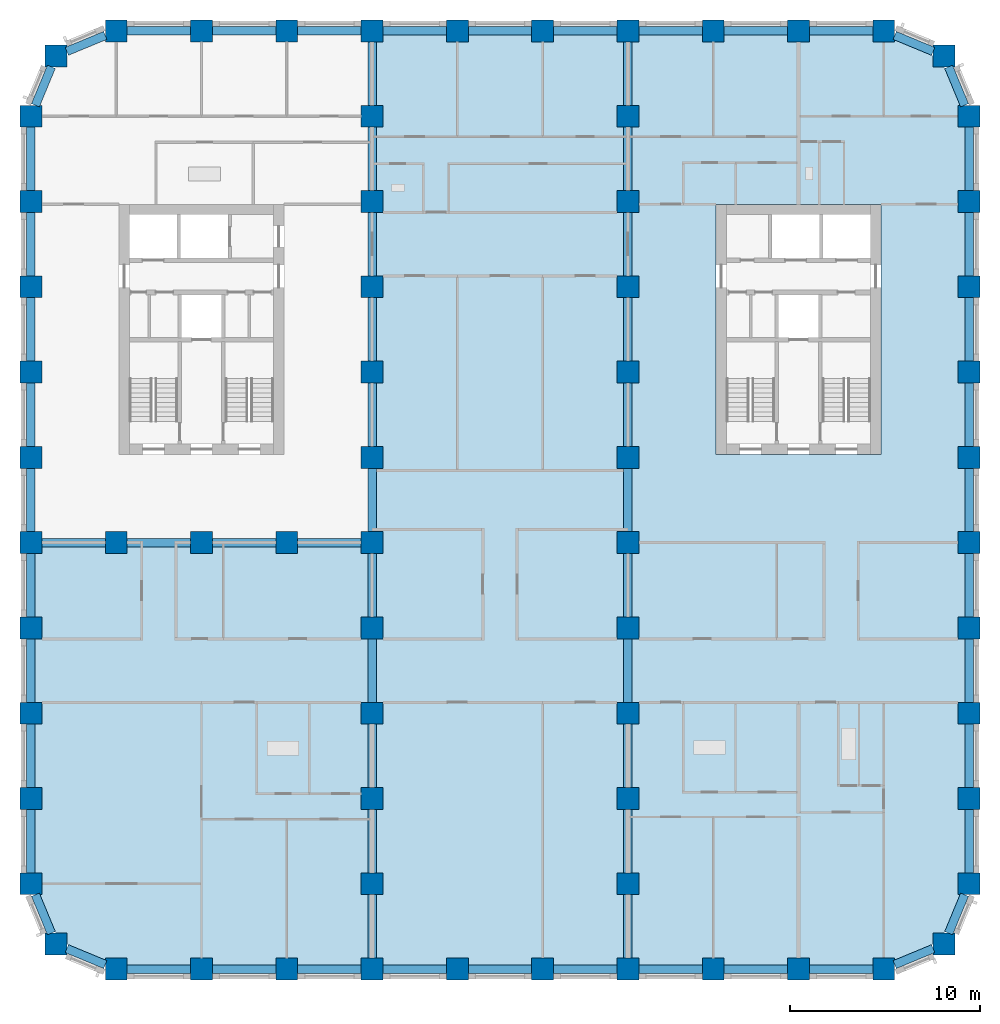
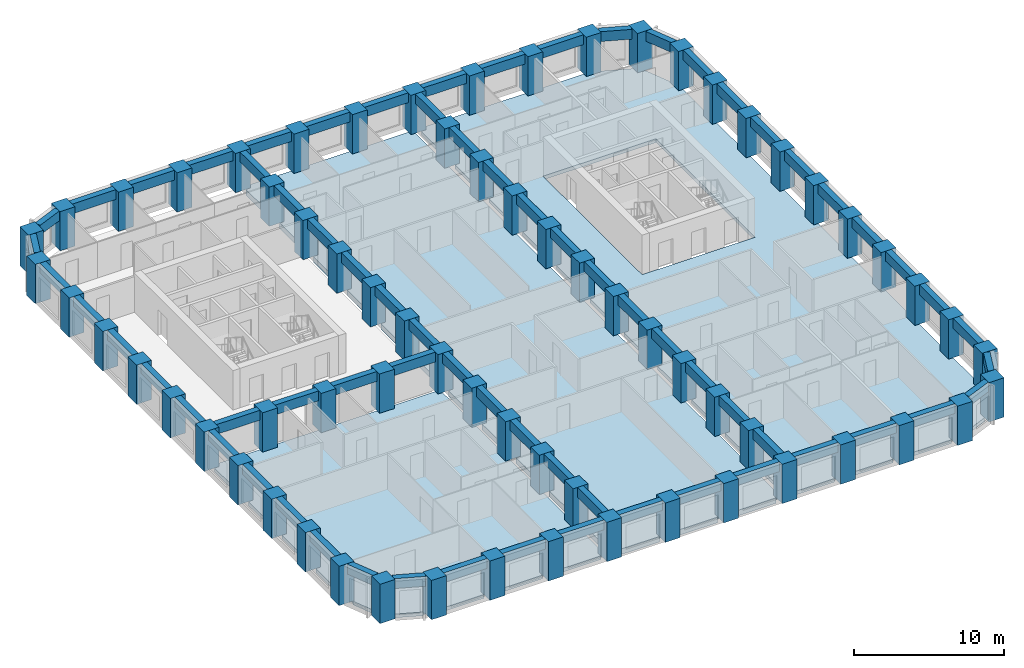
# One storey, part 1 of 13: 70 beams, 67 columns, 3 slabs.
"""IFC4 building model written with IfcOpenShell, lengths in metres."""

from ifc_helpers import new_model, si_unit, direction, frame, origin, origin_2d, place, context, subcontext, project, spatial, polyline, rectangle, outline, extrude, material, layer, layer_set, material_profile, profile_set, type_object, element, save


model = new_model("IFC4")

# Units and contexts
model_context = context("Model", 3, precision=1e-05, world=origin(), true_north=direction((0.0, 1.0)))
body_context = subcontext(model_context, "Body", "Model", "MODEL_VIEW")
ifc_project = project(units=[si_unit("LENGTHUNIT", "METRE"), si_unit("AREAUNIT", "SQUARE_METRE"), si_unit("VOLUMEUNIT", "CUBIC_METRE"), si_unit("PLANEANGLEUNIT", "RADIAN"), si_unit("MASSUNIT", "GRAM", prefix="KILO")], contexts=[model_context])

# Site, building, storey
site_placement = place(None, origin())
site = spatial("IfcSite", under=ifc_project, at=site_placement, CompositionType="ELEMENT")
building_placement = place(site_placement, origin())
building = spatial("IfcBuilding", under=site, at=building_placement, Name="Girih Gate Residences", CompositionType="ELEMENT")
storey_placement = place(building_placement, frame((0.0, 0.0, 89.60009765625)))
storey = spatial("IfcBuildingStorey", under=building, at=storey_placement, Name="L24", CompositionType="ELEMENT", Elevation=89.60009765625)

# Columns
ifc_material_1 = material(Name="Concrete C80/95", Category="concrete")
ifc_material_profile_1 = material_profile(ifc_material_1, rectangle(XDim=1.14990234375, YDim=1.14990234375, at=origin_2d()))
ifc_profile_set_1 = profile_set([ifc_material_profile_1], Name="Concrete C80/95")
column_type = type_object("IfcColumnType", Name="Pier RC 1150x1150 Concrete C80/95", PredefinedType="COLUMN", material=ifc_profile_set_1)
for number, where, z_axis, x_axis, name in (
    (1, (4.5, 0.0, 0.0), (0.0, 0.0, 1.0), (1.0, 0.0, 0.0), "Pier P2A L24"),
    (2, (9.0, 0.0, 0.0), (0.0, 0.0, 1.0), (1.0, 0.0, 0.0), "Pier P3A L24"),
    (3, (13.5, 0.0, 0.0), (0.0, 0.0, 1.0), (1.0, 0.0, 0.0), "Pier P4A L24"),
    (4, (18.0, 0.0, 0.0), (0.0, 0.0, 1.0), (1.0, 0.0, 0.0), "Pier P5A L24"),
    (5, (22.5, 0.0, 0.0), (0.0, 0.0, 1.0), (1.0, 0.0, 0.0), "Pier P6A L24"),
    (6, (27.0, 0.0, 0.0), (0.0, 0.0, 1.0), (1.0, 0.0, 0.0), "Pier P7A L24"),
    (7, (31.5, 0.0, 0.0), (0.0, 0.0, 1.0), (1.0, 0.0, 0.0), "Pier P8A L24"),
    (8, (36.0, 0.0, 0.0), (0.0, 0.0, 1.0), (1.0, 0.0, 0.0), "Pier P9A L24"),
    (9, (40.5, 0.0, 0.0), (0.0, 0.0, 1.0), (1.0, 0.0, 0.0), "Pier P10A L24"),
    (10, (45.0, 0.0, 0.0), (0.0, 0.0, 1.0), (1.0, 0.0, 0.0), "Pier P11A L24"),
    (11, (1.318115234375, 1.318115234375, 0.0), (0.0, 0.0, 1.0), (1.0, 0.0, 0.0), "Pier P1ANE L24"),
    (12, (48.181884765625, 1.318115234375, 0.0), (0.0, 0.0, 1.0), (1.0, 0.0, 0.0), "Pier P12ANW L24"),
    (13, (0.0, 4.5, 0.0), (0.0, 0.0, 1.0), (1.0, 0.0, 0.0), "Pier P1B L24"),
    (14, (18.0, 4.5, 0.0), (0.0, 0.0, 1.0), (1.0, 0.0, 0.0), "Pier P5B L24"),
    (15, (31.5, 4.5, 0.0), (0.0, 0.0, 1.0), (1.0, 0.0, 0.0), "Pier P8B L24"),
    (16, (49.5, 4.5, 0.0), (0.0, 0.0, 1.0), (1.0, 0.0, 0.0), "Pier P12B L24"),
    (17, (0.0, 9.0, 0.0), (0.0, 0.0, 1.0), (1.0, 0.0, 0.0), "Pier P1C L24"),
    (18, (18.0, 9.0, 0.0), (0.0, 0.0, 1.0), (1.0, 0.0, 0.0), "Pier P5C L24"),
    (19, (31.5, 9.0, 0.0), (0.0, 0.0, 1.0), (1.0, 0.0, 0.0), "Pier P8C L24"),
    (20, (49.5, 9.0, 0.0), (0.0, 0.0, 1.0), (1.0, 0.0, 0.0), "Pier P12C L24"),
    (21, (0.0, 13.5, 0.0), (0.0, 0.0, 1.0), (1.0, 0.0, 0.0), "Pier P1D L24"),
    (22, (18.0, 13.5, 0.0), (0.0, 0.0, 1.0), (1.0, 0.0, 0.0), "Pier P5D L24"),
    (23, (31.5, 13.5, 0.0), (0.0, 0.0, 1.0), (1.0, 0.0, 0.0), "Pier P8D L24"),
    (24, (49.5, 13.5, 0.0), (0.0, 0.0, 1.0), (1.0, 0.0, 0.0), "Pier P12D L24"),
    (25, (0.0, 18.0, 0.0), (0.0, 0.0, 1.0), (1.0, 0.0, 0.0), "Pier P1E L24"),
    (26, (18.0, 18.0, 0.0), (0.0, 0.0, 1.0), (1.0, 0.0, 0.0), "Pier P5E L24"),
    (27, (31.5, 18.0, 0.0), (0.0, 0.0, 1.0), (1.0, 0.0, 0.0), "Pier P8E L24"),
    (28, (49.5, 18.0, 0.0), (0.0, 0.0, 1.0), (1.0, 0.0, 0.0), "Pier P12E L24"),
    (29, (0.0, 22.5, 0.0), (0.0, 0.0, 1.0), (1.0, 0.0, 0.0), "Pier P1F L24"),
    (30, (4.5, 22.5, 0.0), (0.0, 0.0, 1.0), (1.0, 0.0, 0.0), "Pier P2F L24"),
    (31, (9.0, 22.5, 0.0), (0.0, 0.0, 1.0), (1.0, 0.0, 0.0), "Pier P3F L24"),
    (32, (13.5, 22.5, 0.0), (0.0, 0.0, 1.0), (1.0, 0.0, 0.0), "Pier P4F L24"),
    (33, (18.0, 22.5, 0.0), (0.0, 0.0, 1.0), (1.0, 0.0, 0.0), "Pier P5F L24"),
    (34, (31.5, 22.5, 0.0), (0.0, 0.0, 1.0), (1.0, 0.0, 0.0), "Pier P8F L24"),
    (35, (49.5, 22.5, 0.0), (0.0, 0.0, 1.0), (1.0, 0.0, 0.0), "Pier P12F L24"),
    (36, (0.0, 27.0, 0.0), (0.0, 0.0, 1.0), (1.0, 0.0, 0.0), "Pier P1G L24"),
    (37, (18.0, 27.0, 0.0), (0.0, 0.0, 1.0), (1.0, 0.0, 0.0), "Pier P5G L24"),
    (38, (31.5, 27.0, 0.0), (0.0, 0.0, 1.0), (1.0, 0.0, 0.0), "Pier P8G L24"),
    (39, (49.5, 27.0, 0.0), (0.0, 0.0, 1.0), (1.0, 0.0, 0.0), "Pier P12G L24"),
    (40, (0.0, 31.5, 0.0), (0.0, 0.0, 1.0), (1.0, 0.0, 0.0), "Pier P1H L24"),
    (41, (18.0, 31.5, 0.0), (0.0, 0.0, 1.0), (1.0, 0.0, 0.0), "Pier P5H L24"),
    (42, (31.5, 31.5, 0.0), (0.0, 0.0, 1.0), (1.0, 0.0, 0.0), "Pier P8H L24"),
    (43, (49.5, 31.5, 0.0), (0.0, 0.0, 1.0), (1.0, 0.0, 0.0), "Pier P12H L24"),
    (44, (0.0, 36.0, 0.0), (0.0, 0.0, 1.0), (1.0, 0.0, 0.0), "Pier P1I L24"),
    (45, (18.0, 36.0, 0.0), (0.0, 0.0, 1.0), (1.0, 0.0, 0.0), "Pier P5I L24"),
    (46, (31.5, 36.0, 0.0), (0.0, 0.0, 1.0), (1.0, 0.0, 0.0), "Pier P8I L24"),
    (47, (49.5, 36.0, 0.0), (0.0, 0.0, 1.0), (1.0, 0.0, 0.0), "Pier P12I L24"),
    (48, (0.0, 40.5, 0.0), (0.0, 0.0, 1.0), (1.0, 0.0, 0.0), "Pier P1J L24"),
    (49, (18.0, 40.5, 0.0), (0.0, 0.0, 1.0), (1.0, 0.0, 0.0), "Pier P5J L24"),
    (50, (31.5, 40.5, 0.0), (0.0, 0.0, 1.0), (1.0, 0.0, 0.0), "Pier P8J L24"),
    (51, (49.5, 40.5, 0.0), (0.0, 0.0, 1.0), (1.0, 0.0, 0.0), "Pier P12J L24"),
    (52, (0.0, 45.0, 0.0), (0.0, 0.0, 1.0), (1.0, 0.0, 0.0), "Pier P1K L24"),
    (53, (18.0, 45.0, 0.0), (0.0, 0.0, 1.0), (1.0, 0.0, 0.0), "Pier P5K L24"),
    (54, (31.5, 45.0, 0.0), (0.0, 0.0, 1.0), (1.0, 0.0, 0.0), "Pier P8K L24"),
    (55, (49.5, 45.0, 0.0), (0.0, 0.0, 1.0), (1.0, 0.0, 0.0), "Pier P12K L24"),
    (56, (1.318115234375, 48.181884765625, 0.0), (0.0, 0.0, 1.0), (1.0, 0.0, 0.0), "Pier P1LSE L24"),
    (57, (48.181884765625, 48.181884765625, 0.0), (0.0, 0.0, 1.0), (1.0, 0.0, 0.0), "Pier P12LSW L24"),
    (58, (4.5, 49.5, 0.0), (0.0, 0.0, 1.0), (1.0, 0.0, 0.0), "Pier P2L L24"),
    (59, (9.0, 49.5, 0.0), (0.0, 0.0, 1.0), (1.0, 0.0, 0.0), "Pier P3L L24"),
    (60, (13.5, 49.5, 0.0), (0.0, 0.0, 1.0), (1.0, 0.0, 0.0), "Pier P4L L24"),
    (61, (18.0, 49.5, 0.0), (0.0, 0.0, 1.0), (1.0, 0.0, 0.0), "Pier P5L L24"),
    (62, (22.5, 49.5, 0.0), (0.0, 0.0, 1.0), (1.0, 0.0, 0.0), "Pier P6L L24"),
    (63, (27.0, 49.5, 0.0), (0.0, 0.0, 1.0), (1.0, 0.0, 0.0), "Pier P7L L24"),
    (64, (31.5, 49.5, 0.0), (0.0, 0.0, 1.0), (1.0, 0.0, 0.0), "Pier P8L L24"),
    (65, (36.0, 49.5, 0.0), (0.0, 0.0, 1.0), (1.0, 0.0, 0.0), "Pier P9L L24"),
    (66, (40.5, 49.5, 0.0), (0.0, 0.0, 1.0), (1.0, 0.0, 0.0), "Pier P10L L24"),
    (67, (45.0, 49.5, 0.0), (0.0, 0.0, 1.0), (1.0, 0.0, 0.0), "Pier P11L L24"),
):
    element("IfcColumn", number, at=place(storey_placement, frame(where, z_axis=z_axis, x_axis=x_axis)), inside=storey, type_object=column_type, Name=name, PredefinedType="COLUMN", context=body_context, shape_type="SweptSolid", body=[
        extrude(rectangle(XDim=1.14990234375, YDim=1.14990234375, at=origin_2d()), origin(), (0.0, 0.0, 1.0), 3.199951171875),
    ])

# Beams
ifc_material_2 = material(Name="Concrete C60/75", Category="concrete")
ifc_material_profile_2 = material_profile(ifc_material_2, rectangle(XDim=0.449951171875, YDim=0.800048828125, at=origin_2d()))
ifc_profile_set_2 = profile_set([ifc_material_profile_2], Name="Concrete C60/75")
beam_type = type_object("IfcBeamType", Name="Spandrel girder RC 450x800 Concrete C60/75", PredefinedType="BEAM", material=ifc_profile_set_2)
for number, where, z_axis, x_axis, name in (
    (68, (0.23828125, 3.925048828125, 2.7998046875), (0.382636106589, -0.92389913407, 0.0), (0.92389913407, 0.382636106589, 0.0), "Spandrel girder SP-P1B-P1ANE L24"),
    (69, (1.89306640625, 1.079833984375, 2.7998046875), (0.92389913407, -0.382636106589, 0.0), (0.382636106589, 0.92389913407, 0.0), "Spandrel girder SP-P1ANE-P2A L24"),
):
    element("IfcBeam", number, at=place(storey_placement, frame(where, z_axis=z_axis, x_axis=x_axis)), inside=storey, type_object=beam_type, Name=name, PredefinedType="BEAM", context=body_context, shape_type="SweptSolid", body=[
        extrude(rectangle(XDim=0.449951171875, YDim=0.800048828125, at=origin_2d()), origin(), (0.0, 0.0, 1.0), 2.199462890625),
    ])
for number, where, z_axis, x_axis, name in (
    (70, (5.074951171875, 0.0, 2.7998046875), (1.0, 0.0, 0.0), (0.0, 1.0, 0.0), "Spandrel girder SP-P2A-P3A L24"),
    (71, (9.574951171875, 0.0, 2.7998046875), (1.0, 0.0, 0.0), (0.0, 1.0, 0.0), "Spandrel girder SP-P3A-P4A L24"),
    (72, (14.074951171875, 0.0, 2.7998046875), (1.0, 0.0, 0.0), (0.0, 1.0, 0.0), "Spandrel girder SP-P4A-P5A L24"),
    (73, (18.574951171875, 0.0, 2.7998046875), (1.0, 0.0, 0.0), (0.0, 1.0, 0.0), "Spandrel girder SP-P5A-P6A L24"),
    (74, (23.074951171875, 0.0, 2.7998046875), (1.0, 0.0, 0.0), (0.0, 1.0, 0.0), "Spandrel girder SP-P6A-P7A L24"),
    (75, (27.574951171875, 0.0, 2.7998046875), (1.0, 0.0, 0.0), (0.0, 1.0, 0.0), "Spandrel girder SP-P7A-P8A L24"),
    (76, (32.074951171875, 0.0, 2.7998046875), (1.0, 0.0, 0.0), (0.0, 1.0, 0.0), "Spandrel girder SP-P8A-P9A L24"),
    (77, (36.574951171875, 0.0, 2.7998046875), (1.0, 0.0, 0.0), (0.0, 1.0, 0.0), "Spandrel girder SP-P9A-P10A L24"),
    (78, (41.074951171875, 0.0, 2.7998046875), (1.0, 0.0, 0.0), (0.0, 1.0, 0.0), "Spandrel girder SP-P10A-P11A L24"),
):
    element("IfcBeam", number, at=place(storey_placement, frame(where, z_axis=z_axis, x_axis=x_axis)), inside=storey, type_object=beam_type, Name=name, PredefinedType="BEAM", context=body_context, shape_type="SweptSolid", body=[
        extrude(rectangle(XDim=0.449951171875, YDim=0.800048828125, at=origin_2d()), origin(), (0.0, 0.0, 1.0), 3.35009765625),
    ])
for number, where, z_axis, x_axis, name in (
    (79, (45.574951171875, 0.23828125, 2.7998046875), (0.92389913407, 0.382636106589, 0.0), (-0.382636106589, 0.92389913407, 0.0), "Spandrel girder SP-P11A-P12ANW L24"),
    (80, (48.420166015625, 1.89306640625, 2.7998046875), (0.382636106589, 0.92389913407, 0.0), (-0.92389913407, 0.382636106589, 0.0), "Spandrel girder SP-P12ANW-P12B L24"),
):
    element("IfcBeam", number, at=place(storey_placement, frame(where, z_axis=z_axis, x_axis=x_axis)), inside=storey, type_object=beam_type, Name=name, PredefinedType="BEAM", context=body_context, shape_type="SweptSolid", body=[
        extrude(rectangle(XDim=0.449951171875, YDim=0.800048828125, at=origin_2d()), origin(), (0.0, 0.0, 1.0), 2.199462890625),
    ])
for number, where, z_axis, x_axis, name in (
    (81, (49.5, 5.074951171875, 2.7998046875), (0.0, 1.0, 0.0), (-1.0, 0.0, 0.0), "Spandrel girder SP-P12B-P12C L24"),
    (82, (49.5, 9.574951171875, 2.7998046875), (0.0, 1.0, 0.0), (-1.0, 0.0, 0.0), "Spandrel girder SP-P12C-P12D L24"),
    (83, (49.5, 14.074951171875, 2.7998046875), (0.0, 1.0, 0.0), (-1.0, 0.0, 0.0), "Spandrel girder SP-P12D-P12E L24"),
    (84, (49.5, 18.574951171875, 2.7998046875), (0.0, 1.0, 0.0), (-1.0, 0.0, 0.0), "Spandrel girder SP-P12E-P12F L24"),
    (85, (49.5, 23.074951171875, 2.7998046875), (0.0, 1.0, 0.0), (-1.0, 0.0, 0.0), "Spandrel girder SP-P12F-P12G L24"),
    (86, (49.5, 27.574951171875, 2.7998046875), (0.0, 1.0, 0.0), (-1.0, 0.0, 0.0), "Spandrel girder SP-P12G-P12H L24"),
    (87, (49.5, 32.074951171875, 2.7998046875), (0.0, 1.0, 0.0), (-1.0, 0.0, 0.0), "Spandrel girder SP-P12H-P12I L24"),
    (88, (49.5, 36.574951171875, 2.7998046875), (0.0, 1.0, 0.0), (-1.0, 0.0, 0.0), "Spandrel girder SP-P12I-P12J L24"),
    (89, (49.5, 41.074951171875, 2.7998046875), (0.0, 1.0, 0.0), (-1.0, 0.0, 0.0), "Spandrel girder SP-P12J-P12K L24"),
):
    element("IfcBeam", number, at=place(storey_placement, frame(where, z_axis=z_axis, x_axis=x_axis)), inside=storey, type_object=beam_type, Name=name, PredefinedType="BEAM", context=body_context, shape_type="SweptSolid", body=[
        extrude(rectangle(XDim=0.449951171875, YDim=0.800048828125, at=origin_2d()), origin(), (0.0, 0.0, 1.0), 3.35009765625),
    ])
for number, where, z_axis, x_axis, name in (
    (90, (49.26171875, 45.574951171875, 2.7998046875), (-0.382636106589, 0.92389913407, 0.0), (-0.92389913407, -0.382636106589, 0.0), "Spandrel girder SP-P12K-P12LSW L24"),
    (91, (47.60693359375, 48.420166015625, 2.7998046875), (-0.92389913407, 0.382636106589, 0.0), (-0.382636106589, -0.92389913407, 0.0), "Spandrel girder SP-P12LSW-P11L L24"),
):
    element("IfcBeam", number, at=place(storey_placement, frame(where, z_axis=z_axis, x_axis=x_axis)), inside=storey, type_object=beam_type, Name=name, PredefinedType="BEAM", context=body_context, shape_type="SweptSolid", body=[
        extrude(rectangle(XDim=0.449951171875, YDim=0.800048828125, at=origin_2d()), origin(), (0.0, 0.0, 1.0), 2.199462890625),
    ])
for number, where, z_axis, x_axis, name in (
    (92, (44.425048828125, 49.5, 2.7998046875), (-1.0, 0.0, 0.0), (0.0, -1.0, 0.0), "Spandrel girder SP-P11L-P10L L24"),
    (93, (39.925048828125, 49.5, 2.7998046875), (-1.0, 0.0, 0.0), (0.0, -1.0, 0.0), "Spandrel girder SP-P10L-P9L L24"),
    (94, (35.425048828125, 49.5, 2.7998046875), (-1.0, 0.0, 0.0), (0.0, -1.0, 0.0), "Spandrel girder SP-P9L-P8L L24"),
    (95, (30.925048828125, 49.5, 2.7998046875), (-1.0, 0.0, 0.0), (0.0, -1.0, 0.0), "Spandrel girder SP-P8L-P7L L24"),
    (96, (26.425048828125, 49.5, 2.7998046875), (-1.0, 0.0, 0.0), (0.0, -1.0, 0.0), "Spandrel girder SP-P7L-P6L L24"),
    (97, (21.925048828125, 49.5, 2.7998046875), (-1.0, 0.0, 0.0), (0.0, -1.0, 0.0), "Spandrel girder SP-P6L-P5L L24"),
    (98, (17.425048828125, 49.5, 2.7998046875), (-1.0, 0.0, 0.0), (0.0, -1.0, 0.0), "Spandrel girder SP-P5L-P4L L24"),
    (99, (12.925048828125, 49.5, 2.7998046875), (-1.0, 0.0, 0.0), (0.0, -1.0, 0.0), "Spandrel girder SP-P4L-P3L L24"),
    (100, (8.425048828125, 49.5, 2.7998046875), (-1.0, 0.0, 0.0), (0.0, -1.0, 0.0), "Spandrel girder SP-P3L-P2L L24"),
):
    element("IfcBeam", number, at=place(storey_placement, frame(where, z_axis=z_axis, x_axis=x_axis)), inside=storey, type_object=beam_type, Name=name, PredefinedType="BEAM", context=body_context, shape_type="SweptSolid", body=[
        extrude(rectangle(XDim=0.449951171875, YDim=0.800048828125, at=origin_2d()), origin(), (0.0, 0.0, 1.0), 3.35009765625),
    ])
for number, where, z_axis, x_axis, name in (
    (101, (3.925048828125, 49.26171875, 2.7998046875), (-0.92389913407, -0.382636106589, 0.0), (0.382636106589, -0.92389913407, 0.0), "Spandrel girder SP-P2L-P1LSE L24"),
    (102, (1.079833984375, 47.60693359375, 2.7998046875), (-0.382636106589, -0.92389913407, 0.0), (0.92389913407, -0.382636106589, 0.0), "Spandrel girder SP-P1LSE-P1K L24"),
):
    element("IfcBeam", number, at=place(storey_placement, frame(where, z_axis=z_axis, x_axis=x_axis)), inside=storey, type_object=beam_type, Name=name, PredefinedType="BEAM", context=body_context, shape_type="SweptSolid", body=[
        extrude(rectangle(XDim=0.449951171875, YDim=0.800048828125, at=origin_2d()), origin(), (0.0, 0.0, 1.0), 2.199462890625),
    ])
for number, where, z_axis, x_axis, name in (
    (103, (0.0, 44.425048828125, 2.7998046875), (0.0, -1.0, 0.0), (1.0, 0.0, 0.0), "Spandrel girder SP-P1K-P1J L24"),
    (104, (0.0, 39.925048828125, 2.7998046875), (0.0, -1.0, 0.0), (1.0, 0.0, 0.0), "Spandrel girder SP-P1J-P1I L24"),
    (105, (0.0, 35.425048828125, 2.7998046875), (0.0, -1.0, 0.0), (1.0, 0.0, 0.0), "Spandrel girder SP-P1I-P1H L24"),
    (106, (0.0, 30.925048828125, 2.7998046875), (0.0, -1.0, 0.0), (1.0, 0.0, 0.0), "Spandrel girder SP-P1H-P1G L24"),
    (107, (0.0, 26.425048828125, 2.7998046875), (0.0, -1.0, 0.0), (1.0, 0.0, 0.0), "Spandrel girder SP-P1G-P1F L24"),
    (108, (0.0, 21.925048828125, 2.7998046875), (0.0, -1.0, 0.0), (1.0, 0.0, 0.0), "Spandrel girder SP-P1F-P1E L24"),
    (109, (0.0, 17.425048828125, 2.7998046875), (0.0, -1.0, 0.0), (1.0, 0.0, 0.0), "Spandrel girder SP-P1E-P1D L24"),
    (110, (0.0, 12.925048828125, 2.7998046875), (0.0, -1.0, 0.0), (1.0, 0.0, 0.0), "Spandrel girder SP-P1D-P1C L24"),
    (111, (0.0, 8.425048828125, 2.7998046875), (0.0, -1.0, 0.0), (1.0, 0.0, 0.0), "Spandrel girder SP-P1C-P1B L24"),
    (112, (18.0, 0.574951171875, 2.7998046875), (0.0, 1.0, 0.0), (-1.0, 0.0, 0.0), "Spandrel girder SP-P5A-P5B L24"),
    (113, (18.0, 5.074951171875, 2.7998046875), (0.0, 1.0, 0.0), (-1.0, 0.0, 0.0), "Spandrel girder SP-P5B-P5C L24"),
    (114, (18.0, 9.574951171875, 2.7998046875), (0.0, 1.0, 0.0), (-1.0, 0.0, 0.0), "Spandrel girder SP-P5C-P5D L24"),
    (115, (18.0, 14.074951171875, 2.7998046875), (0.0, 1.0, 0.0), (-1.0, 0.0, 0.0), "Spandrel girder SP-P5D-P5E L24"),
    (116, (18.0, 18.574951171875, 2.7998046875), (0.0, 1.0, 0.0), (-1.0, 0.0, 0.0), "Spandrel girder SP-P5E-P5F L24"),
    (117, (18.0, 23.074951171875, 2.7998046875), (0.0, 1.0, 0.0), (-1.0, 0.0, 0.0), "Spandrel girder SP-P5F-P5G L24"),
    (118, (18.0, 27.574951171875, 2.7998046875), (0.0, 1.0, 0.0), (-1.0, 0.0, 0.0), "Spandrel girder SP-P5G-P5H L24"),
    (119, (18.0, 32.074951171875, 2.7998046875), (0.0, 1.0, 0.0), (-1.0, 0.0, 0.0), "Spandrel girder SP-P5H-P5I L24"),
    (120, (18.0, 36.574951171875, 2.7998046875), (0.0, 1.0, 0.0), (-1.0, 0.0, 0.0), "Spandrel girder SP-P5I-P5J L24"),
    (121, (18.0, 41.074951171875, 2.7998046875), (0.0, 1.0, 0.0), (-1.0, 0.0, 0.0), "Spandrel girder SP-P5J-P5K L24"),
    (122, (18.0, 45.574951171875, 2.7998046875), (0.0, 1.0, 0.0), (-1.0, 0.0, 0.0), "Spandrel girder SP-P5K-P5L L24"),
    (123, (31.5, 0.574951171875, 2.7998046875), (0.0, 1.0, 0.0), (-1.0, 0.0, 0.0), "Spandrel girder SP-P8A-P8B L24"),
    (124, (31.5, 5.074951171875, 2.7998046875), (0.0, 1.0, 0.0), (-1.0, 0.0, 0.0), "Spandrel girder SP-P8B-P8C L24"),
    (125, (31.5, 9.574951171875, 2.7998046875), (0.0, 1.0, 0.0), (-1.0, 0.0, 0.0), "Spandrel girder SP-P8C-P8D L24"),
    (126, (31.5, 14.074951171875, 2.7998046875), (0.0, 1.0, 0.0), (-1.0, 0.0, 0.0), "Spandrel girder SP-P8D-P8E L24"),
    (127, (31.5, 18.574951171875, 2.7998046875), (0.0, 1.0, 0.0), (-1.0, 0.0, 0.0), "Spandrel girder SP-P8E-P8F L24"),
    (128, (31.5, 23.074951171875, 2.7998046875), (0.0, 1.0, 0.0), (-1.0, 0.0, 0.0), "Spandrel girder SP-P8F-P8G L24"),
    (129, (31.5, 27.574951171875, 2.7998046875), (0.0, 1.0, 0.0), (-1.0, 0.0, 0.0), "Spandrel girder SP-P8G-P8H L24"),
    (130, (31.5, 32.074951171875, 2.7998046875), (0.0, 1.0, 0.0), (-1.0, 0.0, 0.0), "Spandrel girder SP-P8H-P8I L24"),
    (131, (31.5, 36.574951171875, 2.7998046875), (0.0, 1.0, 0.0), (-1.0, 0.0, 0.0), "Spandrel girder SP-P8I-P8J L24"),
    (132, (31.5, 41.074951171875, 2.7998046875), (0.0, 1.0, 0.0), (-1.0, 0.0, 0.0), "Spandrel girder SP-P8J-P8K L24"),
    (133, (31.5, 45.574951171875, 2.7998046875), (0.0, 1.0, 0.0), (-1.0, 0.0, 0.0), "Spandrel girder SP-P8K-P8L L24"),
    (134, (0.574951171875, 22.5, 2.7998046875), (1.0, 0.0, 0.0), (0.0, 1.0, 0.0), "Spandrel girder SP-P1F-P2F L24"),
    (135, (5.074951171875, 22.5, 2.7998046875), (1.0, 0.0, 0.0), (0.0, 1.0, 0.0), "Spandrel girder SP-P2F-P3F L24"),
    (136, (9.574951171875, 22.5, 2.7998046875), (1.0, 0.0, 0.0), (0.0, 1.0, 0.0), "Spandrel girder SP-P3F-P4F L24"),
    (137, (14.074951171875, 22.5, 2.7998046875), (1.0, 0.0, 0.0), (0.0, 1.0, 0.0), "Spandrel girder SP-P4F-P5F L24"),
):
    element("IfcBeam", number, at=place(storey_placement, frame(where, z_axis=z_axis, x_axis=x_axis)), inside=storey, type_object=beam_type, Name=name, PredefinedType="BEAM", context=body_context, shape_type="SweptSolid", body=[
        extrude(rectangle(XDim=0.449951171875, YDim=0.800048828125, at=origin_2d()), origin(), (0.0, 0.0, 1.0), 3.35009765625),
    ])

# Slabs
ifc_material_3 = material(Name="Concrete C40/50", Category="concrete")
ifc_layer_1 = layer(ifc_material_3, 0.300048828125)
ifc_layer_set_1 = layer_set([ifc_layer_1], Name="Floor slab PT 300 Concrete C40/50")
slab_type_1 = type_object("IfcSlabType", Name="Floor slab PT 300 Concrete C40/50", PredefinedType="FLOOR", material=ifc_layer_set_1)
slab_1_placement = place(storey_placement, frame((0.0, 0.0, -0.300048828125)))
element("IfcSlab", 138, at=slab_1_placement, inside=storey, type_object=slab_type_1, Name="Floor slab L24 0", PredefinedType="FLOOR", context=body_context, shape_type="SweptSolid", body=[
    extrude(outline(polyline([(0.22509765625, 8.425048828125), (0.22509765625, 5.074951171875), (0.574951171875, 5.074951171875), (0.574951171875, 3.925048828125), (0.481689453125, 3.925048828125), (1.323486328125, 1.89306640625), (1.89306640625, 1.89306640625), (1.89306640625, 1.323486328125), (3.925048828125, 0.481689453125), (3.925048828125, 0.574951171875), (5.074951171875, 0.574951171875), (5.074951171875, 0.22509765625), (8.425048828125, 0.22509765625), (8.425048828125, 0.574951171875), (9.574951171875, 0.574951171875), (9.574951171875, 0.22509765625), (12.925048828125, 0.22509765625), (12.925048828125, 0.574951171875), (14.074951171875, 0.574951171875), (14.074951171875, 0.22509765625), (17.425048828125, 0.22509765625), (17.425048828125, 0.574951171875), (17.77490234375, 0.574951171875), (17.77490234375, 3.925048828125), (17.425048828125, 3.925048828125), (17.425048828125, 5.074951171875), (17.77490234375, 5.074951171875), (17.77490234375, 8.425048828125), (17.425048828125, 8.425048828125), (17.425048828125, 9.574951171875), (17.77490234375, 9.574951171875), (17.77490234375, 12.925048828125), (17.425048828125, 12.925048828125), (17.425048828125, 14.074951171875), (17.77490234375, 14.074951171875), (17.77490234375, 17.425048828125), (17.425048828125, 17.425048828125), (17.425048828125, 18.574951171875), (17.77490234375, 18.574951171875), (17.77490234375, 21.925048828125), (17.425048828125, 21.925048828125), (17.425048828125, 22.27490234375), (14.074951171875, 22.27490234375), (14.074951171875, 21.925048828125), (12.925048828125, 21.925048828125), (12.925048828125, 22.27490234375), (9.574951171875, 22.27490234375), (9.574951171875, 21.925048828125), (8.425048828125, 21.925048828125), (8.425048828125, 22.27490234375), (5.074951171875, 22.27490234375), (5.074951171875, 21.925048828125), (3.925048828125, 21.925048828125), (3.925048828125, 22.27490234375), (0.574951171875, 22.27490234375), (0.574951171875, 21.925048828125), (0.22509765625, 21.925048828125), (0.22509765625, 18.574951171875), (0.574951171875, 18.574951171875), (0.574951171875, 17.425048828125), (0.22509765625, 17.425048828125), (0.22509765625, 14.074951171875), (0.574951171875, 14.074951171875), (0.574951171875, 12.925048828125), (0.22509765625, 12.925048828125), (0.22509765625, 9.574951171875), (0.574951171875, 9.574951171875), (0.574951171875, 8.425048828125), (0.22509765625, 8.425048828125)])), origin(), (0.0, 0.0, 1.0), 0.300048828125),
])
slab_2_placement = place(storey_placement, frame((0.0, 0.0, -0.300048828125)))
element("IfcSlab", 139, at=slab_2_placement, inside=storey, type_object=slab_type_1, Name="Floor slab L24 1", PredefinedType="FLOOR", context=body_context, shape_type="SweptSolid", body=[
    extrude(outline(polyline([(35.425048828125, 49.27490234375), (32.074951171875, 49.27490234375), (32.074951171875, 48.925048828125), (31.72509765625, 48.925048828125), (31.72509765625, 45.574951171875), (32.074951171875, 45.574951171875), (32.074951171875, 44.425048828125), (31.72509765625, 44.425048828125), (31.72509765625, 41.074951171875), (32.074951171875, 41.074951171875), (32.074951171875, 39.925048828125), (31.72509765625, 39.925048828125), (31.72509765625, 36.574951171875), (32.074951171875, 36.574951171875), (32.074951171875, 35.425048828125), (31.72509765625, 35.425048828125), (31.72509765625, 32.074951171875), (32.074951171875, 32.074951171875), (32.074951171875, 30.925048828125), (31.72509765625, 30.925048828125), (31.72509765625, 27.574951171875), (32.074951171875, 27.574951171875), (32.074951171875, 26.425048828125), (31.72509765625, 26.425048828125), (31.72509765625, 23.074951171875), (32.074951171875, 23.074951171875), (32.074951171875, 21.925048828125), (31.72509765625, 21.925048828125), (31.72509765625, 18.574951171875), (32.074951171875, 18.574951171875), (32.074951171875, 17.425048828125), (31.72509765625, 17.425048828125), (31.72509765625, 14.074951171875), (32.074951171875, 14.074951171875), (32.074951171875, 12.925048828125), (31.72509765625, 12.925048828125), (31.72509765625, 9.574951171875), (32.074951171875, 9.574951171875), (32.074951171875, 8.425048828125), (31.72509765625, 8.425048828125), (31.72509765625, 5.074951171875), (32.074951171875, 5.074951171875), (32.074951171875, 3.925048828125), (31.72509765625, 3.925048828125), (31.72509765625, 0.574951171875), (32.074951171875, 0.574951171875), (32.074951171875, 0.22509765625), (35.425048828125, 0.22509765625), (35.425048828125, 0.574951171875), (36.574951171875, 0.574951171875), (36.574951171875, 0.22509765625), (39.925048828125, 0.22509765625), (39.925048828125, 0.574951171875), (41.074951171875, 0.574951171875), (41.074951171875, 0.22509765625), (44.425048828125, 0.22509765625), (44.425048828125, 0.574951171875), (45.574951171875, 0.574951171875), (45.574951171875, 0.481689453125), (47.60693359375, 1.323486328125), (47.60693359375, 1.89306640625), (48.176513671875, 1.89306640625), (49.018310546875, 3.925048828125), (48.925048828125, 3.925048828125), (48.925048828125, 5.074951171875), (49.27490234375, 5.074951171875), (49.27490234375, 8.425048828125), (48.925048828125, 8.425048828125), (48.925048828125, 9.574951171875), (49.27490234375, 9.574951171875), (49.27490234375, 12.925048828125), (48.925048828125, 12.925048828125), (48.925048828125, 14.074951171875), (49.27490234375, 14.074951171875), (49.27490234375, 17.425048828125), (48.925048828125, 17.425048828125), (48.925048828125, 18.574951171875), (49.27490234375, 18.574951171875), (49.27490234375, 21.925048828125), (48.925048828125, 21.925048828125), (48.925048828125, 23.074951171875), (49.27490234375, 23.074951171875), (49.27490234375, 26.425048828125), (48.925048828125, 26.425048828125), (48.925048828125, 27.574951171875), (49.27490234375, 27.574951171875), (49.27490234375, 30.925048828125), (48.925048828125, 30.925048828125), (48.925048828125, 32.074951171875), (49.27490234375, 32.074951171875), (49.27490234375, 35.425048828125), (48.925048828125, 35.425048828125), (48.925048828125, 36.574951171875), (49.27490234375, 36.574951171875), (49.27490234375, 39.925048828125), (48.925048828125, 39.925048828125), (48.925048828125, 41.074951171875), (49.27490234375, 41.074951171875), (49.27490234375, 44.425048828125), (48.925048828125, 44.425048828125), (48.925048828125, 45.574951171875), (49.018310546875, 45.574951171875), (48.176513671875, 47.60693359375), (47.60693359375, 47.60693359375), (47.60693359375, 48.176513671875), (45.574951171875, 49.018310546875), (45.574951171875, 48.925048828125), (44.425048828125, 48.925048828125), (44.425048828125, 49.27490234375), (41.074951171875, 49.27490234375), (41.074951171875, 48.925048828125), (39.925048828125, 48.925048828125), (39.925048828125, 49.27490234375), (36.574951171875, 49.27490234375), (36.574951171875, 48.925048828125), (35.425048828125, 48.925048828125), (35.425048828125, 49.27490234375)]), holes=[polyline([(44.85009765625, 40.35009765625), (44.85009765625, 27.14990234375), (36.14990234375, 27.14990234375), (36.14990234375, 40.35009765625), (44.85009765625, 40.35009765625)])]), origin(), (0.0, 0.0, 1.0), 0.300048828125),
])
ifc_layer_2 = layer(ifc_material_3, 0.449951171875)
ifc_layer_set_2 = layer_set([ifc_layer_2], Name="Floor slab PT 450 Concrete C40/50")
slab_type_2 = type_object("IfcSlabType", Name="Floor slab PT 450 Concrete C40/50", PredefinedType="FLOOR", material=ifc_layer_set_2)
slab_3_placement = place(storey_placement, frame((0.0, 0.0, -0.4501953125)))
element("IfcSlab", 140, at=slab_3_placement, inside=storey, type_object=slab_type_2, Name="Floor slab L24 2", PredefinedType="FLOOR", context=body_context, shape_type="SweptSolid", body=[
    extrude(outline(polyline([(21.925048828125, 49.27490234375), (18.574951171875, 49.27490234375), (18.574951171875, 48.925048828125), (18.22509765625, 48.925048828125), (18.22509765625, 45.574951171875), (18.574951171875, 45.574951171875), (18.574951171875, 44.425048828125), (18.22509765625, 44.425048828125), (18.22509765625, 41.074951171875), (18.574951171875, 41.074951171875), (18.574951171875, 39.925048828125), (18.22509765625, 39.925048828125), (18.22509765625, 36.574951171875), (18.574951171875, 36.574951171875), (18.574951171875, 35.425048828125), (18.22509765625, 35.425048828125), (18.22509765625, 32.074951171875), (18.574951171875, 32.074951171875), (18.574951171875, 30.925048828125), (18.22509765625, 30.925048828125), (18.22509765625, 27.574951171875), (18.574951171875, 27.574951171875), (18.574951171875, 26.425048828125), (18.22509765625, 26.425048828125), (18.22509765625, 23.074951171875), (18.574951171875, 23.074951171875), (18.574951171875, 21.925048828125), (18.22509765625, 21.925048828125), (18.22509765625, 18.574951171875), (18.574951171875, 18.574951171875), (18.574951171875, 17.425048828125), (18.22509765625, 17.425048828125), (18.22509765625, 14.074951171875), (18.574951171875, 14.074951171875), (18.574951171875, 12.925048828125), (18.22509765625, 12.925048828125), (18.22509765625, 9.574951171875), (18.574951171875, 9.574951171875), (18.574951171875, 8.425048828125), (18.22509765625, 8.425048828125), (18.22509765625, 5.074951171875), (18.574951171875, 5.074951171875), (18.574951171875, 3.925048828125), (18.22509765625, 3.925048828125), (18.22509765625, 0.574951171875), (18.574951171875, 0.574951171875), (18.574951171875, 0.22509765625), (21.925048828125, 0.22509765625), (21.925048828125, 0.574951171875), (23.074951171875, 0.574951171875), (23.074951171875, 0.22509765625), (26.425048828125, 0.22509765625), (26.425048828125, 0.574951171875), (27.574951171875, 0.574951171875), (27.574951171875, 0.22509765625), (30.925048828125, 0.22509765625), (30.925048828125, 0.574951171875), (31.27490234375, 0.574951171875), (31.27490234375, 3.925048828125), (30.925048828125, 3.925048828125), (30.925048828125, 5.074951171875), (31.27490234375, 5.074951171875), (31.27490234375, 8.425048828125), (30.925048828125, 8.425048828125), (30.925048828125, 9.574951171875), (31.27490234375, 9.574951171875), (31.27490234375, 12.925048828125), (30.925048828125, 12.925048828125), (30.925048828125, 14.074951171875), (31.27490234375, 14.074951171875), (31.27490234375, 17.425048828125), (30.925048828125, 17.425048828125), (30.925048828125, 18.574951171875), (31.27490234375, 18.574951171875), (31.27490234375, 21.925048828125), (30.925048828125, 21.925048828125), (30.925048828125, 23.074951171875), (31.27490234375, 23.074951171875), (31.27490234375, 26.425048828125), (30.925048828125, 26.425048828125), (30.925048828125, 27.574951171875), (31.27490234375, 27.574951171875), (31.27490234375, 30.925048828125), (30.925048828125, 30.925048828125), (30.925048828125, 32.074951171875), (31.27490234375, 32.074951171875), (31.27490234375, 35.425048828125), (30.925048828125, 35.425048828125), (30.925048828125, 36.574951171875), (31.27490234375, 36.574951171875), (31.27490234375, 39.925048828125), (30.925048828125, 39.925048828125), (30.925048828125, 41.074951171875), (31.27490234375, 41.074951171875), (31.27490234375, 44.425048828125), (30.925048828125, 44.425048828125), (30.925048828125, 45.574951171875), (31.27490234375, 45.574951171875), (31.27490234375, 48.925048828125), (30.925048828125, 48.925048828125), (30.925048828125, 49.27490234375), (27.574951171875, 49.27490234375), (27.574951171875, 48.925048828125), (26.425048828125, 48.925048828125), (26.425048828125, 49.27490234375), (23.074951171875, 49.27490234375), (23.074951171875, 48.925048828125), (21.925048828125, 48.925048828125), (21.925048828125, 49.27490234375)])), origin(), (0.0, 0.0, 1.0), 0.4501953125),
])

save(model, "model.ifc")
